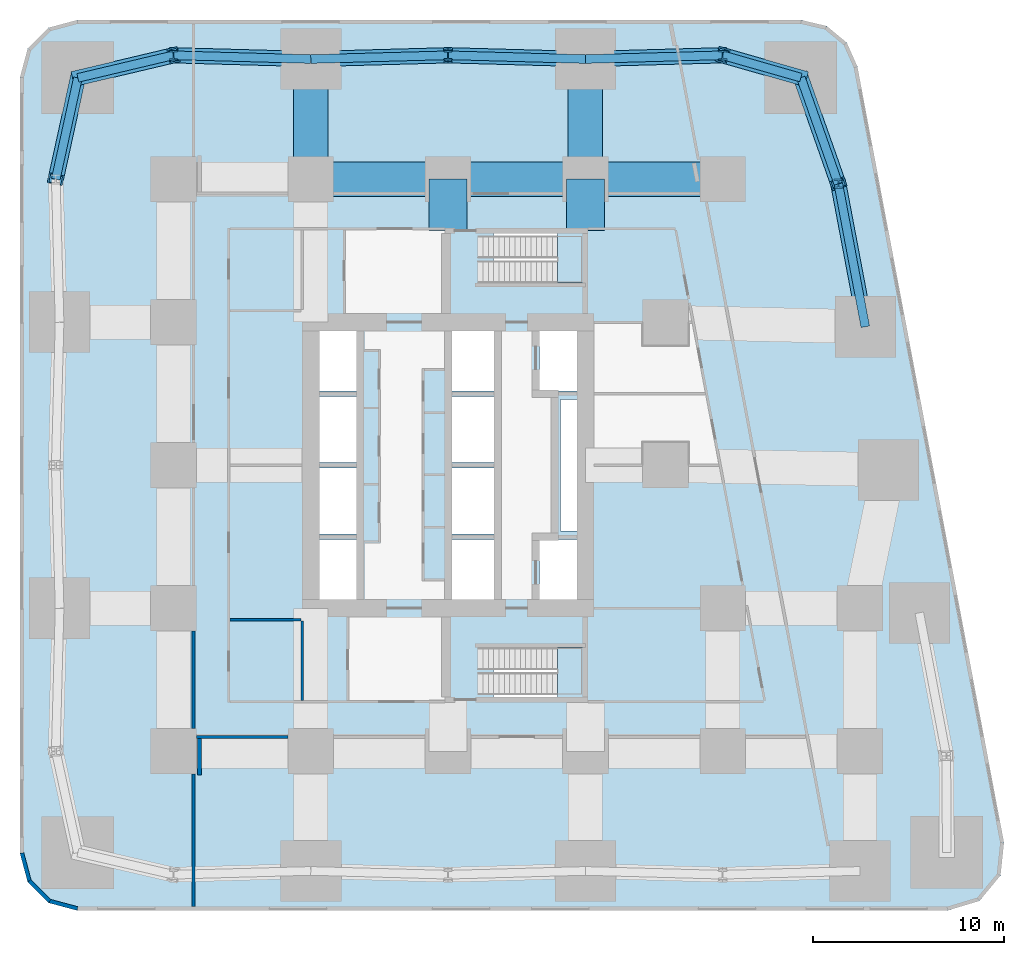
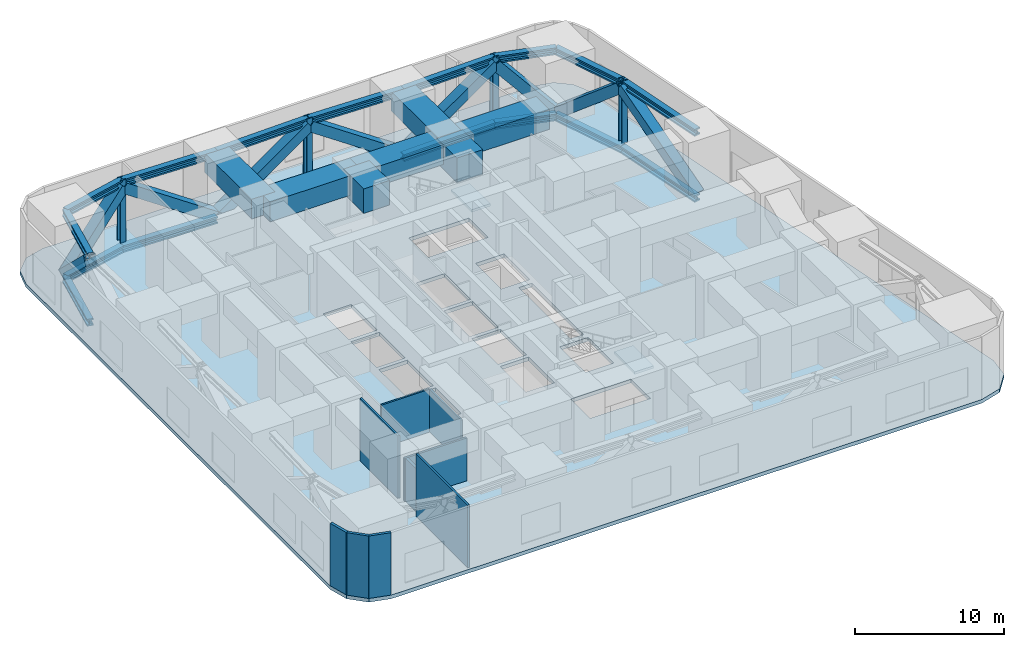
# One storey, part 2 of 8: 29 members, 9 walls, 7 beams, 3 slabs, 2 elements without a shape of their own.
"""IFC4 building model written with IfcOpenShell, lengths in metres."""

from ifc_helpers import new_model, si_unit, direction, frame, frame_2d, origin, origin_2d, place, context, subcontext, project, spatial, polyline, rectangle, hollow_rectangle, i_section, outline, extrude, material, layer, layer_set, material_profile, profile_set, type_object, element, aggregate, save


model = new_model("IFC4")

# Units and contexts
model_context = context("Model", 3, precision=1e-05, world=origin(), true_north=direction((0.0, 1.0)))
body_context = subcontext(model_context, "Body", "Model", "MODEL_VIEW")
ifc_project = project(units=[si_unit("LENGTHUNIT", "METRE"), si_unit("AREAUNIT", "SQUARE_METRE"), si_unit("VOLUMEUNIT", "CUBIC_METRE"), si_unit("PLANEANGLEUNIT", "RADIAN"), si_unit("MASSUNIT", "GRAM", prefix="KILO")], contexts=[model_context])

# Site, building, storey
site_placement = place(None, origin())
site = spatial("IfcSite", under=ifc_project, at=site_placement, CompositionType="ELEMENT")
building_placement = place(site_placement, origin())
building = spatial("IfcBuilding", under=site, at=building_placement, Name="Sheger Commons Tower", CompositionType="ELEMENT")
storey_placement = place(building_placement, frame((0.0, 0.0, 14.60009765625)))
storey = spatial("IfcBuildingStorey", under=building, at=storey_placement, Name="L03", CompositionType="ELEMENT", Elevation=14.60009765625)

# Beams
ifc_material_1 = material(Name="Concrete C50/60", Category="concrete")
ifc_material_profile_1 = material_profile(ifc_material_1, rectangle(XDim=1.800048828125, YDim=1.60009765625, at=origin_2d()), Name="RC 1800x1600")
ifc_profile_set_1 = profile_set([ifc_material_profile_1], Name="Concrete C50/60")
beam_type_1 = type_object("IfcBeamType", Name="BEAM RC 1800x1600", PredefinedType="BEAM", material=ifc_profile_set_1)
beam_placement = place(storey_placement, frame((14.39990234375, 37.5, 4.2998046875), z_axis=(1.0, 0.0, 0.0), x_axis=(0.0, 1.0, 0.0)))
element("IfcBeam", 1, at=beam_placement, inside=storey, type_object=beam_type_1, Name="Beam 3/F-4/F under L04", PredefinedType="BEAM", context=body_context, shape_type="SweptSolid", body=[
    extrude(rectangle(XDim=1.800048828125, YDim=1.60009765625, at=origin_2d()), origin(), (0.0, 0.0, 1.0), 7.2001953125),
])
for number, where, z_axis, x_axis, name in (
    (2, (21.60009765625, 37.5, 4.2998046875), (1.0, 0.0, 0.0), (0.0, 1.0, 0.0), "Beam 4/F-5/F under L04"),
    (3, (28.800048828125, 37.5, 4.2998046875), (1.0, 0.0, 0.0), (0.0, 1.0, 0.0), "Beam 5/F-6/F under L04"),
):
    element("IfcBeam", number, at=place(storey_placement, frame(where, z_axis=z_axis, x_axis=x_axis)), inside=storey, type_object=beam_type_1, Name=name, PredefinedType="BEAM", context=body_context, shape_type="SweptSolid", body=[
        extrude(rectangle(XDim=1.800048828125, YDim=1.60009765625, at=origin_2d()), origin(), (0.0, 0.0, 1.0), 7.199951171875),
    ])
for number, where, z_axis, x_axis, name in (
    (4, (14.39990234375, 37.5, 4.2998046875), (0.0, 1.0, 0.0), (-1.0, 0.0, 0.0), "Beam 3/F-3/G under L04"),
    (5, (28.800048828125, 37.5, 4.2998046875), (0.0, 1.0, 0.0), (-1.0, 0.0, 0.0), "Beam 5/F-5/G under L04"),
):
    element("IfcBeam", number, at=place(storey_placement, frame(where, z_axis=z_axis, x_axis=x_axis)), inside=storey, type_object=beam_type_1, Name=name, PredefinedType="BEAM", context=body_context, shape_type="SweptSolid", body=[
        extrude(rectangle(XDim=1.800048828125, YDim=1.60009765625, at=origin_2d()), origin(), (0.0, 0.0, 1.0), 6.300048828125),
    ])
ifc_material_2 = material(Name="Concrete C50/60", Category="concrete")
ifc_material_profile_2 = material_profile(ifc_material_2, rectangle(XDim=2.0, YDim=2.0, at=origin_2d()), Name="RC 2000x2000")
ifc_profile_set_2 = profile_set([ifc_material_profile_2], Name="Concrete C50/60")
beam_type_2 = type_object("IfcBeamType", Name="BEAM RC 2000x2000", PredefinedType="BEAM", material=ifc_profile_set_2)
for number, where, z_axis, x_axis, name in (
    (6, (21.60009765625, 34.800048828125, 4.099853515625), (0.0, 1.0, 0.0), (-1.0, 0.0, 0.0), "Beam 21.600,34.800-4/F under L04"),
    (7, (28.800048828125, 34.800048828125, 4.099853515625), (0.0, 1.0, 0.0), (-1.0, 0.0, 0.0), "Beam 28.800,34.800-5/F under L04"),
):
    element("IfcBeam", number, at=place(storey_placement, frame(where, z_axis=z_axis, x_axis=x_axis)), inside=storey, type_object=beam_type_2, Name=name, PredefinedType="BEAM", context=body_context, shape_type="SweptSolid", body=[
        extrude(rectangle(XDim=2.0, YDim=2.0, at=origin_2d()), origin(), (0.0, 0.0, 1.0), 2.699951171875),
    ])

# Members
ifc_material_3 = material(Name="Steel S355", Category="steel")
ifc_material_profile_3 = material_profile(ifc_material_3, hollow_rectangle(XDim=0.800048828125, YDim=0.800048828125, WallThickness=0.080078125, at=origin_2d()), Name="BOX 800x800x80")
ifc_profile_set_3 = profile_set([ifc_material_profile_3], Name="Steel S355")
member_type_1 = type_object("IfcMemberType", Name="BRACE BOX 800x800x80", PredefinedType="BRACE", material=ifc_profile_set_3)
member_1_placement = place(storey_placement, frame((2.18603515625, 42.81396484375, -0.300048828125), z_axis=(0.70989077603, 0.167923717678, 0.684000519846), x_axis=(-0.230195985701, 0.97314428949, 0.0)))
element("IfcMember", 8, at=member_1_placement, inside=storey, type_object=member_type_1, Name="Transfer truss T4 diagonal", PredefinedType="BRACE", context=body_context, shape_type="SweptSolid", body=[
    extrude(hollow_rectangle(XDim=0.800048828125, YDim=0.800048828125, WallThickness=0.080078125, at=origin_2d()), origin(), (0.0, 0.0, 1.0), 7.06298828125),
])
member_2_placement = place(storey_placement, frame((14.39990234375, 43.800048828125, -0.300048828125), z_axis=(-0.830171082824, 0.023054834249, 0.557031819433), x_axis=(-0.027760481514, -0.999614603568, 0.0)))
element("IfcMember", 9, at=member_2_placement, inside=storey, type_object=member_type_1, Name="Transfer truss T4 diagonal", PredefinedType="BRACE", context=body_context, shape_type="SweptSolid", body=[
    extrude(hollow_rectangle(XDim=0.800048828125, YDim=0.800048828125, WallThickness=0.080078125, at=origin_2d()), origin(), (0.0, 0.0, 1.0), 8.6728515625),
])
member_3_placement = place(storey_placement, frame((14.39990234375, 43.800048828125, -0.300048828125), z_axis=(0.830179831981, 0.023054295483, 0.557018802225), x_axis=(-0.027759540951, 0.999614629688, 0.0)))
element("IfcMember", 10, at=member_3_placement, inside=storey, type_object=member_type_1, Name="Transfer truss T5 diagonal", PredefinedType="BRACE", context=body_context, shape_type="SweptSolid", body=[
    extrude(hollow_rectangle(XDim=0.800048828125, YDim=0.800048828125, WallThickness=0.080078125, at=origin_2d()), origin(), (0.0, 0.0, 1.0), 8.673095703125),
])
for number, where, z_axis, x_axis, name in (
    (11, (28.800048828125, 43.800048828125, -0.300048828125), (-0.830171082824, 0.023054834249, 0.557031819433), (-0.027760481514, -0.999614603568, 0.0), "Transfer truss T5 diagonal"),
    (12, (28.800048828125, 43.800048828125, -0.300048828125), (0.830171082824, 0.023054834249, 0.557031819433), (-0.027760481514, 0.999614603568, 0.0), "Transfer truss T6 diagonal"),
):
    element("IfcMember", number, at=place(storey_placement, frame(where, z_axis=z_axis, x_axis=x_axis)), inside=storey, type_object=member_type_1, Name=name, PredefinedType="BRACE", context=body_context, shape_type="SweptSolid", body=[
        extrude(hollow_rectangle(XDim=0.800048828125, YDim=0.800048828125, WallThickness=0.080078125, at=origin_2d()), origin(), (0.0, 0.0, 1.0), 8.6728515625),
    ])
member_4_placement = place(storey_placement, frame((40.10205078125, 42.830078125, -0.300048828125), z_axis=(-0.63649628626, 0.181531377441, 0.749612457595), x_axis=(-0.274267541221, -0.961653428129, 0.0)))
element("IfcMember", 13, at=member_4_placement, inside=storey, type_object=member_type_1, Name="Transfer truss T6 diagonal", PredefinedType="BRACE", context=body_context, shape_type="SweptSolid", body=[
    extrude(hollow_rectangle(XDim=0.800048828125, YDim=0.800048828125, WallThickness=0.080078125, at=origin_2d()), origin(), (0.0, 0.0, 1.0), 6.44482421875),
])
member_5_placement = place(storey_placement, frame((2.18603515625, 42.81396484375, -0.300048828125), z_axis=(-0.159606011293, -0.730442481455, 0.664063025959), x_axis=(0.976949769283, -0.213469314652, 0.0)))
element("IfcMember", 14, at=member_5_placement, inside=storey, type_object=member_type_1, Name="Transfer truss T9 diagonal", PredefinedType="BRACE", context=body_context, shape_type="SweptSolid", body=[
    extrude(hollow_rectangle(XDim=0.800048828125, YDim=0.800048828125, WallThickness=0.080078125, at=origin_2d()), origin(), (0.0, 0.0, 1.0), 7.27490234375),
])
member_6_placement = place(storey_placement, frame((43.47998046875, 29.762939453125, -0.300048828125), z_axis=(-0.156761145672, 0.830293516388, 0.53482578458), x_axis=(-0.982639655108, -0.18552441405, 0.0)))
element("IfcMember", 15, at=member_6_placement, inside=storey, type_object=member_type_1, Name="Transfer truss T12 diagonal", PredefinedType="BRACE", context=body_context, shape_type="SweptSolid", body=[
    extrude(hollow_rectangle(XDim=0.800048828125, YDim=0.800048828125, WallThickness=0.080078125, at=origin_2d()), origin(), (0.0, 0.0, 1.0), 9.032958984375),
])
member_7_placement = place(storey_placement, frame((40.10205078125, 42.830078125, -0.300048828125), z_axis=(0.257210405459, -0.729861731669, 0.63335981872), x_axis=(0.943147526102, 0.332374403357, 0.0)))
element("IfcMember", 16, at=member_7_placement, inside=storey, type_object=member_type_1, Name="Transfer truss T12 diagonal", PredefinedType="BRACE", context=body_context, shape_type="SweptSolid", body=[
    extrude(hollow_rectangle(XDim=0.800048828125, YDim=0.800048828125, WallThickness=0.080078125, at=origin_2d()), origin(), (0.0, 0.0, 1.0), 7.627685546875),
])
ifc_material_4 = material(Name="Steel S460", Category="steel")
ifc_material_profile_4 = material_profile(ifc_material_4, i_section(OverallWidth=0.4541015625, OverallDepth=0.569091796875, WebThickness=0.077880859375, FlangeThickness=0.125, at=origin_2d()), Name="HD 400x1086")
ifc_profile_set_4 = profile_set([ifc_material_profile_4], Name="Steel S460")
member_type_2 = type_object("IfcMemberType", Name="CHORD HD 400x1086", PredefinedType="CHORD", material=ifc_profile_set_4)
member_8_placement = place(storey_placement, frame((2.18603515625, 42.81396484375, 4.8154296875), z_axis=(0.97314428949, 0.230195985701, 0.0), x_axis=(-0.230195985701, 0.97314428949, 0.0)))
element("IfcMember", 17, at=member_8_placement, inside=storey, type_object=member_type_2, Name="Transfer truss T4 top chord", PredefinedType="CHORD", context=body_context, shape_type="SweptSolid", body=[
    extrude(i_section(OverallWidth=0.4541015625, OverallDepth=0.569091796875, WebThickness=0.077880859375, FlangeThickness=0.125, at=origin_2d()), origin(), (0.0, 0.0, 1.0), 5.15234375),
])
member_9_placement = place(storey_placement, frame((7.199951171875, 44.0, 4.8154296875), z_axis=(0.999614603568, -0.027760481514, 0.0), x_axis=(0.027760481514, 0.999614603568, 0.0)))
element("IfcMember", 18, at=member_9_placement, inside=storey, type_object=member_type_2, Name="Transfer truss T4 top chord", PredefinedType="CHORD", context=body_context, shape_type="SweptSolid", body=[
    extrude(i_section(OverallWidth=0.4541015625, OverallDepth=0.569091796875, WebThickness=0.077880859375, FlangeThickness=0.125, at=origin_2d()), origin(), (0.0, 0.0, 1.0), 7.20263671875),
])
member_10_placement = place(storey_placement, frame((2.18603515625, 42.81396484375, -0.584716796875), z_axis=(0.97314428949, 0.230195985701, 0.0), x_axis=(-0.230195985701, 0.97314428949, 0.0)))
element("IfcMember", 19, at=member_10_placement, inside=storey, type_object=member_type_2, Name="Transfer truss T4 bottom chord", PredefinedType="CHORD", context=body_context, shape_type="SweptSolid", body=[
    extrude(i_section(OverallWidth=0.4541015625, OverallDepth=0.569091796875, WebThickness=0.077880859375, FlangeThickness=0.125, at=origin_2d()), origin(), (0.0, 0.0, 1.0), 5.15234375),
])
member_11_placement = place(storey_placement, frame((7.199951171875, 44.0, -0.584716796875), z_axis=(0.999614603568, -0.027760481514, 0.0), x_axis=(0.027760481514, 0.999614603568, 0.0)))
element("IfcMember", 20, at=member_11_placement, inside=storey, type_object=member_type_2, Name="Transfer truss T4 bottom chord", PredefinedType="CHORD", context=body_context, shape_type="SweptSolid", body=[
    extrude(i_section(OverallWidth=0.4541015625, OverallDepth=0.569091796875, WebThickness=0.077880859375, FlangeThickness=0.125, at=origin_2d()), origin(), (0.0, 0.0, 1.0), 7.20263671875),
])
member_12_placement = place(storey_placement, frame((14.39990234375, 43.800048828125, 4.8154296875), z_axis=(0.999614629688, 0.027759540951, 0.0), x_axis=(-0.027759540951, 0.999614629688, 0.0)))
element("IfcMember", 21, at=member_12_placement, inside=storey, type_object=member_type_2, Name="Transfer truss T5 top chord", PredefinedType="CHORD", context=body_context, shape_type="SweptSolid", body=[
    extrude(i_section(OverallWidth=0.4541015625, OverallDepth=0.569091796875, WebThickness=0.077880859375, FlangeThickness=0.125, at=origin_2d()), origin(), (0.0, 0.0, 1.0), 7.202880859375),
])
for number, where, z_axis, x_axis, name in (
    (22, (21.60009765625, 44.0, 4.8154296875), (0.999614603568, -0.027760481514, 0.0), (0.027760481514, 0.999614603568, 0.0), "Transfer truss T5 top chord"),
    (23, (28.800048828125, 43.800048828125, 4.8154296875), (0.999614603568, 0.027760481514, 0.0), (-0.027760481514, 0.999614603568, 0.0), "Transfer truss T6 top chord"),
):
    element("IfcMember", number, at=place(storey_placement, frame(where, z_axis=z_axis, x_axis=x_axis)), inside=storey, type_object=member_type_2, Name=name, PredefinedType="CHORD", context=body_context, shape_type="SweptSolid", body=[
        extrude(i_section(OverallWidth=0.4541015625, OverallDepth=0.569091796875, WebThickness=0.077880859375, FlangeThickness=0.125, at=origin_2d()), origin(), (0.0, 0.0, 1.0), 7.20263671875),
    ])
member_13_placement = place(storey_placement, frame((36.0, 44.0, 4.8154296875), z_axis=(0.961653428129, -0.274267541221, 0.0), x_axis=(0.274267541221, 0.961653428129, 0.0)))
element("IfcMember", 24, at=member_13_placement, inside=storey, type_object=member_type_2, Name="Transfer truss T6 top chord", PredefinedType="CHORD", context=body_context, shape_type="SweptSolid", body=[
    extrude(i_section(OverallWidth=0.4541015625, OverallDepth=0.569091796875, WebThickness=0.077880859375, FlangeThickness=0.125, at=origin_2d()), origin(), (0.0, 0.0, 1.0), 4.265625),
])
member_14_placement = place(storey_placement, frame((28.800048828125, 43.800048828125, -0.584716796875), z_axis=(0.999614603568, 0.027760481514, 0.0), x_axis=(-0.027760481514, 0.999614603568, 0.0)))
element("IfcMember", 25, at=member_14_placement, inside=storey, type_object=member_type_2, Name="Transfer truss T6 bottom chord", PredefinedType="CHORD", context=body_context, shape_type="SweptSolid", body=[
    extrude(i_section(OverallWidth=0.4541015625, OverallDepth=0.569091796875, WebThickness=0.077880859375, FlangeThickness=0.125, at=origin_2d()), origin(), (0.0, 0.0, 1.0), 7.20263671875),
])
member_15_placement = place(storey_placement, frame((36.0, 44.0, -0.584716796875), z_axis=(0.961653428129, -0.274267541221, 0.0), x_axis=(0.274267541221, 0.961653428129, 0.0)))
element("IfcMember", 26, at=member_15_placement, inside=storey, type_object=member_type_2, Name="Transfer truss T6 bottom chord", PredefinedType="CHORD", context=body_context, shape_type="SweptSolid", body=[
    extrude(i_section(OverallWidth=0.4541015625, OverallDepth=0.569091796875, WebThickness=0.077880859375, FlangeThickness=0.125, at=origin_2d()), origin(), (0.0, 0.0, 1.0), 4.265625),
])
for number, where, z_axis, x_axis, name in (
    (27, (1.02490234375, 37.5, 4.8154296875), (0.213469314652, 0.976949769283, 0.0), (-0.976949769283, 0.213469314652, 0.0), "Transfer truss T9 top chord"),
    (28, (1.02490234375, 37.5, -0.584716796875), (0.213469314652, 0.976949769283, 0.0), (-0.976949769283, 0.213469314652, 0.0), "Transfer truss T9 bottom chord"),
):
    element("IfcMember", number, at=place(storey_placement, frame(where, z_axis=z_axis, x_axis=x_axis)), inside=storey, type_object=member_type_2, Name=name, PredefinedType="CHORD", context=body_context, shape_type="SweptSolid", body=[
        extrude(i_section(OverallWidth=0.4541015625, OverallDepth=0.569091796875, WebThickness=0.077880859375, FlangeThickness=0.125, at=origin_2d()), origin(), (0.0, 0.0, 1.0), 5.439453125),
    ])
member_16_placement = place(storey_placement, frame((43.47998046875, 29.762939453125, 4.8154296875), z_axis=(-0.18552441405, 0.982639655108, 0.0), x_axis=(-0.982639655108, -0.18552441405, 0.0)))
element("IfcMember", 29, at=member_16_placement, inside=storey, type_object=member_type_2, Name="Transfer truss T12 top chord", PredefinedType="CHORD", context=body_context, shape_type="SweptSolid", body=[
    extrude(i_section(OverallWidth=0.4541015625, OverallDepth=0.569091796875, WebThickness=0.077880859375, FlangeThickness=0.125, at=origin_2d()), origin(), (0.0, 0.0, 1.0), 7.632568359375),
])
member_17_placement = place(storey_placement, frame((42.06396484375, 37.262939453125, 4.8154296875), z_axis=(-0.332374403357, 0.943147526102, 0.0), x_axis=(-0.943147526102, -0.332374403357, 0.0)))
element("IfcMember", 30, at=member_17_placement, inside=storey, type_object=member_type_2, Name="Transfer truss T12 top chord", PredefinedType="CHORD", context=body_context, shape_type="SweptSolid", body=[
    extrude(i_section(OverallWidth=0.4541015625, OverallDepth=0.569091796875, WebThickness=0.077880859375, FlangeThickness=0.125, at=origin_2d()), origin(), (0.0, 0.0, 1.0), 5.90283203125),
])
member_18_placement = place(storey_placement, frame((43.47998046875, 29.762939453125, -0.584716796875), z_axis=(-0.18552441405, 0.982639655108, 0.0), x_axis=(-0.982639655108, -0.18552441405, 0.0)))
element("IfcMember", 31, at=member_18_placement, inside=storey, type_object=member_type_2, Name="Transfer truss T12 bottom chord", PredefinedType="CHORD", context=body_context, shape_type="SweptSolid", body=[
    extrude(i_section(OverallWidth=0.4541015625, OverallDepth=0.569091796875, WebThickness=0.077880859375, FlangeThickness=0.125, at=origin_2d()), origin(), (0.0, 0.0, 1.0), 7.632568359375),
])
member_19_placement = place(storey_placement, frame((42.06396484375, 37.262939453125, -0.584716796875), z_axis=(-0.332374403357, 0.943147526102, 0.0), x_axis=(-0.943147526102, -0.332374403357, 0.0)))
element("IfcMember", 32, at=member_19_placement, inside=storey, type_object=member_type_2, Name="Transfer truss T12 bottom chord", PredefinedType="CHORD", context=body_context, shape_type="SweptSolid", body=[
    extrude(i_section(OverallWidth=0.4541015625, OverallDepth=0.569091796875, WebThickness=0.077880859375, FlangeThickness=0.125, at=origin_2d()), origin(), (0.0, 0.0, 1.0), 5.90283203125),
])
ifc_material_5 = material(Name="Steel S460", Category="steel")
ifc_material_profile_5 = material_profile(ifc_material_5, i_section(OverallWidth=0.431884765625, OverallDepth=0.498046875, WebThickness=0.0556640625, FlangeThickness=0.0888671875, at=origin_2d()), Name="HD 400x744")
ifc_profile_set_5 = profile_set([ifc_material_profile_5], Name="Steel S460")
member_type_3 = type_object("IfcMemberType", Name="POST HD 400x744", PredefinedType="POST", material=ifc_profile_set_5)
for number, where, z_axis, x_axis, name in (
    (33, (7.199951171875, 44.0, -0.300048828125), (0.0, 0.0, 1.0), (1.0, 0.0, 0.0), "Transfer truss T4 post"),
    (34, (21.60009765625, 44.0, -0.300048828125), (0.0, 0.0, 1.0), (1.0, 0.0, 0.0), "Transfer truss T5 post"),
    (35, (36.0, 44.0, -0.300048828125), (0.0, 0.0, 1.0), (1.0, 0.0, 0.0), "Transfer truss T6 post"),
    (36, (42.06396484375, 37.262939453125, -0.300048828125), (0.0, 0.0, 1.0), (1.0, 0.0, 0.0), "Transfer truss T12 post"),
):
    element("IfcMember", number, at=place(storey_placement, frame(where, z_axis=z_axis, x_axis=x_axis)), inside=storey, type_object=member_type_3, Name=name, PredefinedType="POST", context=body_context, shape_type="SweptSolid", body=[
        extrude(i_section(OverallWidth=0.431884765625, OverallDepth=0.498046875, WebThickness=0.0556640625, FlangeThickness=0.0888671875, at=origin_2d()), origin(), (0.0, 0.0, 1.0), 5.39990234375),
    ])

# Slab
ifc_material_6 = material(Name="Concrete C35/45", Category="concrete")
ifc_layer_1 = layer(ifc_material_6, 0.300048828125)
ifc_layer_set_1 = layer_set([ifc_layer_1], Name="SLAB FLOOR 300")
slab_type_1 = type_object("IfcSlabType", Name="SLAB FLOOR 300", PredefinedType="FLOOR", material=ifc_layer_set_1)
slab_1_placement = place(storey_placement, frame((0.0, 0.0, -0.300048828125)))
element("IfcSlab", 37, at=slab_1_placement, inside=storey, type_object=slab_type_1, Name="L03 floor slab", PredefinedType="FLOOR", context=body_context, shape_type="SweptSolid", body=[
    extrude(outline(polyline([(-0.85009765625, 2.14990234375), (-0.447998046875, 0.64990234375), (0.64990234375, -0.447998046875), (2.14990234375, -0.85009765625), (47.805908203125, -0.85009765625), (49.465087890625, -0.35009765625), (50.570068359375, 0.98388671875), (50.75390625, 2.70703125), (43.06591796875, 43.406982421875), (42.509033203125, 44.660888671875), (41.452880859375, 45.535888671875), (40.117919921875, 45.85009765625), (2.14990234375, 45.85009765625), (0.64990234375, 45.447998046875), (-0.447998046875, 44.35009765625), (-0.85009765625, 42.85009765625), (-0.85009765625, 2.14990234375)]), holes=[polyline([(23.989990234375, 10.35009765625), (28.64990234375, 10.35009765625), (28.64990234375, 12.949951171875), (23.990966796875, 12.949951171875), (23.990966796875, 11.75), (23.989990234375, 11.75), (23.989990234375, 10.35009765625)]), polyline([(23.990966796875, 32.050048828125), (28.64990234375, 32.050048828125), (28.64990234375, 34.64990234375), (23.989990234375, 34.64990234375), (23.989990234375, 33.25), (23.990966796875, 33.25), (23.990966796875, 32.050048828125)]), polyline([(26.39990234375, 15.14990234375), (28.60009765625, 15.14990234375), (28.60009765625, 18.60009765625), (26.39990234375, 18.60009765625), (26.39990234375, 15.14990234375)]), polyline([(26.39990234375, 26.39990234375), (28.60009765625, 26.39990234375), (28.60009765625, 29.85009765625), (26.39990234375, 29.85009765625), (26.39990234375, 26.39990234375)]), polyline([(14.60009765625, 15.14990234375), (16.800048828125, 15.14990234375), (16.800048828125, 18.60009765625), (14.60009765625, 18.60009765625), (14.60009765625, 15.14990234375)]), polyline([(14.60009765625, 18.89990234375), (16.800048828125, 18.89990234375), (16.800048828125, 22.35009765625), (14.60009765625, 22.35009765625), (14.60009765625, 18.89990234375)]), polyline([(14.60009765625, 22.64990234375), (16.800048828125, 22.64990234375), (16.800048828125, 26.10009765625), (14.60009765625, 26.10009765625), (14.60009765625, 22.64990234375)]), polyline([(14.60009765625, 26.39990234375), (16.800048828125, 26.39990234375), (16.800048828125, 29.85009765625), (14.60009765625, 29.85009765625), (14.60009765625, 26.39990234375)]), polyline([(21.800048828125, 15.14990234375), (24.0, 15.14990234375), (24.0, 18.60009765625), (21.800048828125, 18.60009765625), (21.800048828125, 15.14990234375)]), polyline([(21.800048828125, 18.89990234375), (24.0, 18.89990234375), (24.0, 22.35009765625), (21.800048828125, 22.35009765625), (21.800048828125, 18.89990234375)]), polyline([(21.800048828125, 22.64990234375), (24.0, 22.64990234375), (24.0, 26.10009765625), (21.800048828125, 26.10009765625), (21.800048828125, 22.64990234375)]), polyline([(21.800048828125, 26.39990234375), (24.0, 26.39990234375), (24.0, 29.85009765625), (21.800048828125, 29.85009765625), (21.800048828125, 26.39990234375)]), polyline([(27.5, 19.050048828125), (28.5, 19.050048828125), (28.5, 25.949951171875), (27.5, 25.949951171875), (27.5, 19.050048828125)])]), origin(), (0.0, 0.0, 1.0), 0.300048828125),
])

# Stair, slab
ifc_material_7 = material(Name="Concrete C35/45", Category="concrete")
stair_type = type_object("IfcStairType", Name="HALF-TURN STAIR 1200 RISE 5400", PredefinedType="HALF_TURN_STAIR", material=ifc_material_7)
stair_1_placement = place(storey_placement, origin())
stair_1 = element("IfcStair", 38, at=stair_1_placement, inside=storey, type_object=stair_type, Name="Stair S1 L03", PredefinedType="HALF_TURN_STAIR")
ifc_material_8 = material(Name="Concrete C35/45", Category="concrete")
ifc_layer_2 = layer(ifc_material_8, 0.199951171875)
ifc_layer_set_2 = layer_set([ifc_layer_2], Name="STAIR LANDING 200")
slab_type_2 = type_object("IfcSlabType", Name="STAIR LANDING 200", PredefinedType="LANDING", material=ifc_layer_set_2)
slab_2_placement = place(storey_placement, frame((0.0, 0.0, 2.5)))
slab_2 = element("IfcSlab", 39, at=slab_2_placement, type_object=slab_type_2, Name="S1 landing 1", PredefinedType="LANDING", context=body_context, shape_type="SweptSolid", body=[
    extrude(outline(polyline([(27.35009765625, 10.199951171875), (28.800048828125, 10.199951171875), (28.800048828125, 12.949951171875), (27.35009765625, 12.949951171875), (27.35009765625, 10.199951171875)])), origin(), (0.0, 0.0, 1.0), 0.199951171875),
])
aggregate(stair_1, [slab_2])

stair_2_placement = place(storey_placement, origin())
stair_2 = element("IfcStair", 40, at=stair_2_placement, inside=storey, type_object=stair_type, Name="Stair S2 L03", PredefinedType="HALF_TURN_STAIR")
slab_3_placement = place(storey_placement, frame((0.0, 0.0, 2.5)))
slab_3 = element("IfcSlab", 41, at=slab_3_placement, type_object=slab_type_2, Name="S2 landing 1", PredefinedType="LANDING", context=body_context, shape_type="SweptSolid", body=[
    extrude(outline(polyline([(27.35009765625, 32.050048828125), (28.800048828125, 32.050048828125), (28.800048828125, 34.800048828125), (27.35009765625, 34.800048828125), (27.35009765625, 32.050048828125)])), origin(), (0.0, 0.0, 1.0), 0.199951171875),
])
aggregate(stair_2, [slab_3])

# Walls
ifc_material_9 = material(Name="Hollow concrete block masonry, skimmed both sides", Category="masonry")
ifc_layer_3 = layer(ifc_material_9, 0.14990234375)
ifc_layer_set_3 = layer_set([ifc_layer_3], Name="CORRIDOR WALL 150")
wall_type_1 = type_object("IfcWallType", Name="CORRIDOR WALL 150", PredefinedType="SOLIDWALL", material=ifc_layer_set_3)
wall_1_placement = place(storey_placement, frame((8.25, -0.64990234375, 0.0), z_axis=(0.0, 0.0, 1.0), x_axis=(0.0, 1.0, 0.0)))
element("IfcWall", 42, at=wall_1_placement, inside=storey, type_object=wall_type_1, Name="Corridor wall L03", PredefinedType="SOLIDWALL", context=body_context, shape_type="SweptSolid", body=[
    extrude(rectangle(XDim=6.948974609375, YDim=0.14990234375, at=frame_2d((3.474609375, 0.0))), origin(), (0.0, 0.0, 1.0), 5.099853515625),
])
wall_2_placement = place(storey_placement, frame((8.25, 8.700927734375, 0.0), z_axis=(0.0, 0.0, 1.0), x_axis=(0.0, 1.0, 0.0)))
element("IfcWall", 43, at=wall_2_placement, inside=storey, type_object=wall_type_1, Name="Corridor wall L03", PredefinedType="SOLIDWALL", context=body_context, shape_type="SweptSolid", body=[
    extrude(rectangle(XDim=5.09814453125, YDim=0.14990234375, at=frame_2d((2.549072265625, 0.0))), origin(), (0.0, 0.0, 1.0), 5.099853515625),
])
wall_3_placement = place(storey_placement, frame((13.198974609375, 8.25, 0.0), z_axis=(0.0, 0.0, 1.0), x_axis=(-1.0, 0.0, 0.0)))
element("IfcWall", 44, at=wall_3_placement, inside=storey, type_object=wall_type_1, Name="Corridor wall L03", PredefinedType="SOLIDWALL", context=body_context, shape_type="SweptSolid", body=[
    extrude(rectangle(XDim=4.798095703125, YDim=0.14990234375, at=frame_2d((2.39892578125, 0.0))), origin(), (0.0, 0.0, 1.0), 3.5),
])
ifc_material_10 = material(Name="Rendered concrete block masonry, dark grey", Category="masonry")
ifc_layer_4 = layer(ifc_material_10, 0.199951171875)
ifc_layer_set_4 = layer_set([ifc_layer_4], Name="FACADE WALL 200")
wall_type_2 = type_object("IfcWallType", Name="FACADE WALL 200", PredefinedType="SOLIDWALL", material=ifc_layer_set_4)
wall_4_placement = place(storey_placement, frame((-0.75, 2.1630859375, 0.0), z_axis=(0.0, 0.0, 1.0), x_axis=(0.259168954497, -0.965832000415, 0.0)))
element("IfcWall", 45, at=wall_4_placement, inside=storey, type_object=wall_type_2, Name="Facade wall L03", PredefinedType="SOLIDWALL", context=body_context, shape_type="SweptSolid", body=[
    extrude(rectangle(XDim=1.512939453125, YDim=0.199951171875, at=frame_2d((0.75634765625, 0.0))), origin(), (0.0, 0.0, 1.0), 5.099853515625),
])
wall_5_placement = place(storey_placement, frame((-0.35791015625, 0.701904296875, 0.0), z_axis=(0.0, 0.0, 1.0), x_axis=(0.707106781187, -0.707106781187, 0.0)))
element("IfcWall", 46, at=wall_5_placement, inside=storey, type_object=wall_type_2, Name="Facade wall L03", PredefinedType="SOLIDWALL", context=body_context, shape_type="SweptSolid", body=[
    extrude(rectangle(XDim=1.498779296875, YDim=0.199951171875, at=frame_2d((0.74951171875, 0.0))), origin(), (0.0, 0.0, 1.0), 5.099853515625),
])
wall_6_placement = place(storey_placement, frame((0.701904296875, -0.35791015625, 0.0), z_axis=(0.0, 0.0, 1.0), x_axis=(0.965832000415, -0.259168954497, 0.0)))
element("IfcWall", 47, at=wall_6_placement, inside=storey, type_object=wall_type_2, Name="Facade wall L03", PredefinedType="SOLIDWALL", context=body_context, shape_type="SweptSolid", body=[
    extrude(rectangle(XDim=1.512939453125, YDim=0.199951171875, at=frame_2d((0.75634765625, 0.0))), origin(), (0.0, 0.0, 1.0), 5.099853515625),
])
ifc_material_11 = material(Name="Dense concrete block masonry, skimmed both sides", Category="masonry")
ifc_layer_5 = layer(ifc_material_11, 0.22509765625)
ifc_layer_set_5 = layer_set([ifc_layer_5], Name="FIRE WALL 225")
wall_type_3 = type_object("IfcWallType", Name="FIRE WALL 225", PredefinedType="SOLIDWALL", material=ifc_layer_set_5)
wall_7_placement = place(storey_placement, frame((8.56005859375, 6.25, 0.0), z_axis=(0.0, 0.0, 1.0), x_axis=(0.0, 1.0, 0.0)))
element("IfcWall", 48, at=wall_7_placement, inside=storey, type_object=wall_type_3, Name="Plant room wall L03", PredefinedType="SOLIDWALL", context=body_context, shape_type="SweptSolid", body=[
    extrude(rectangle(XDim=1.925048828125, YDim=0.22509765625, at=frame_2d((0.96240234375, 0.0))), origin(), (0.0, 0.0, 1.0), 3.5),
])
ifc_material_12 = material(Name="Gypsum board on steel studs, two layers each side, fire rated", Category="steel")
ifc_layer_6 = layer(ifc_material_12, 0.125)
ifc_layer_set_6 = layer_set([ifc_layer_6], Name="SERVICE WALL 125")
wall_type_4 = type_object("IfcWallType", Name="SERVICE WALL 125", PredefinedType="PARTITIONING", material=ifc_layer_set_6)
wall_8_placement = place(storey_placement, frame((10.1630859375, 14.39990234375, 0.0), z_axis=(0.0, 0.0, 1.0), x_axis=(1.0, 0.0, 0.0)))
element("IfcWall", 49, at=wall_8_placement, inside=storey, type_object=wall_type_4, Name="Service room wall L03", PredefinedType="PARTITIONING", context=body_context, shape_type="SweptSolid", body=[
    extrude(rectangle(XDim=3.724853515625, YDim=0.125, at=frame_2d((1.8623046875, 0.0))), origin(), (0.0, 0.0, 1.0), 3.5),
])
wall_9_placement = place(storey_placement, frame((13.949951171875, 10.1630859375, 0.0), z_axis=(0.0, 0.0, 1.0), x_axis=(0.0, 1.0, 0.0)))
element("IfcWall", 50, at=wall_9_placement, inside=storey, type_object=wall_type_4, Name="Service room wall L03", PredefinedType="PARTITIONING", context=body_context, shape_type="SweptSolid", body=[
    extrude(rectangle(XDim=4.1748046875, YDim=0.125, at=frame_2d((2.08740234375, 0.0))), origin(), (0.0, 0.0, 1.0), 3.5),
])

save(model, "model.ifc")
